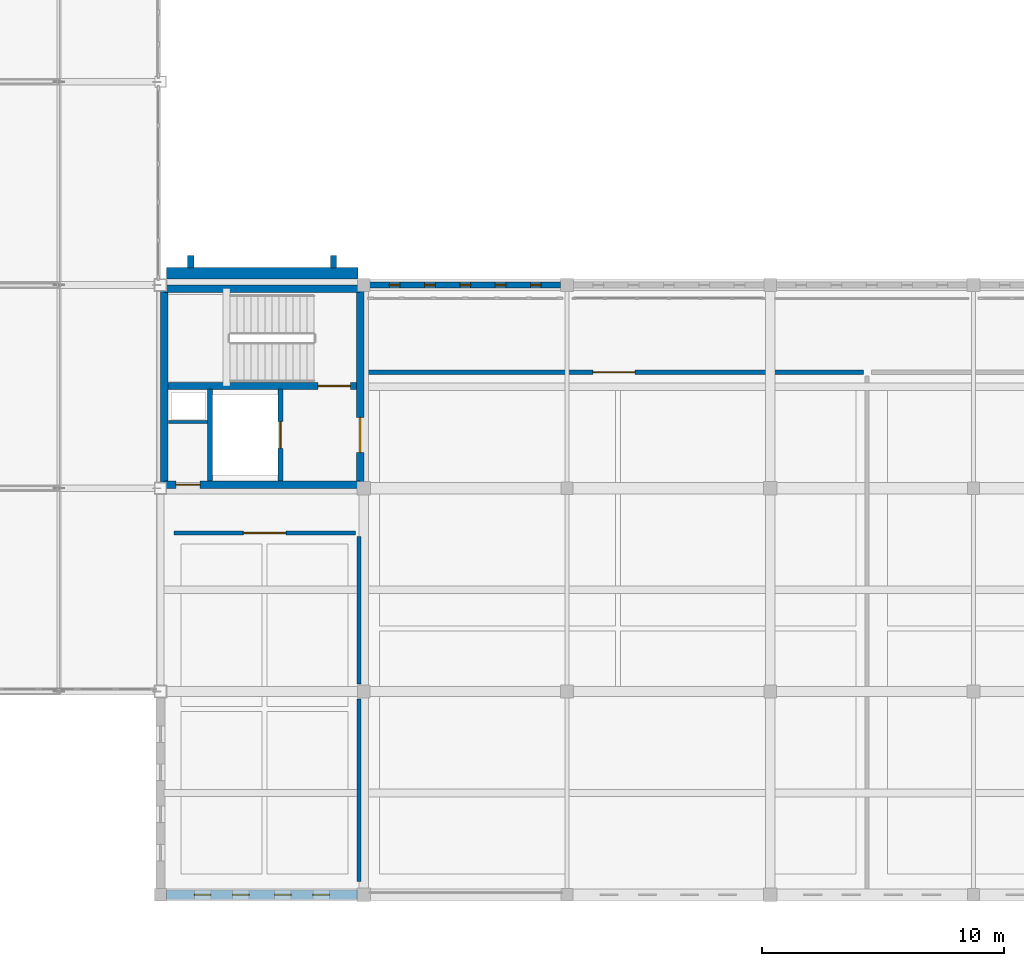
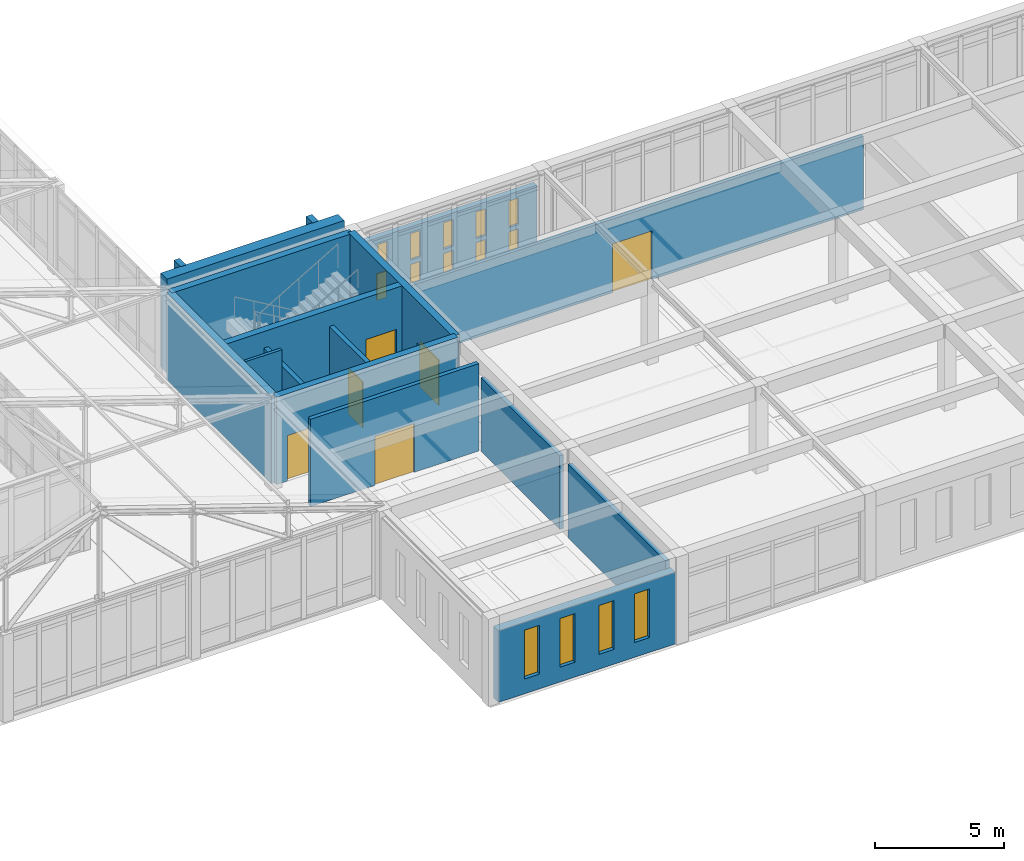
# One storey, part 160 of 192: 17 walls, 14 windows, 6 doors, 20 openings.
"""IFC4 building model written with IfcOpenShell, lengths in metres."""

import ifcopenshell
import ifcopenshell.guid

model = None  # the IFC model being written
_history = None  # IfcOwnerHistory: only IFC2X3 demands one
_inside = {}  # id of a spatial element -> (the spatial element, [elements in it])
_under = {}  # id of a project, library or spatial element -> (it, [spatial elements below it])
_declared = {}  # id of a project -> (the project, [libraries it declares])
_typed = {}  # id of a type object -> (the type object, [elements of that type])
_made_of = {}  # id of a material, layer set ... -> (it, [elements and type objects made of it])


def new_model(schema):
    """Start an empty IFC model of exactly this schema.

    Asked for "IFC4X3", IfcOpenShell would pick the latest addendum, in which some entities
    have other attributes; the version numbers below select the first issue.
    IFC2X3 requires an IfcOwnerHistory on every rooted entity: one is made here for all.
    """
    global model, _history
    if schema == "IFC4X3":
        model = ifcopenshell.file(schema_version=(4, 3, 0, 0))
    else:
        model = ifcopenshell.file(schema=schema)
    _inside.clear()
    _under.clear()
    _declared.clear()
    _typed.clear()
    _made_of.clear()
    _history = None
    if model.schema == "IFC2X3":
        org = make("IfcOrganization", Name="unknown")
        user = make(
            "IfcPersonAndOrganization",
            ThePerson=make("IfcPerson", FamilyName="unknown"),
            TheOrganization=org,
        )
        app = make(
            "IfcApplication",
            ApplicationDeveloper=org,
            Version="unknown",
            ApplicationFullName="unknown",
            ApplicationIdentifier="unknown",
        )
        _history = make(
            "IfcOwnerHistory",
            OwningUser=user,
            OwningApplication=app,
            ChangeAction="ADDED",
            CreationDate=0,
        )
    return model


def make(cls, **values):
    """One entity of the class cls with the attributes given. An attribute that is None is left unset."""
    return model.create_entity(
        cls, **{name: value for name, value in values.items() if value is not None}
    )


def rooted(cls, **values):
    """An entity with a GlobalId (a new one), such as an element, a storey or a relation."""
    return make(cls, GlobalId=ifcopenshell.guid.new(), OwnerHistory=_history, **values)


def si_unit(unit_type, name, prefix=None):
    """IfcSIUnit, for example si_unit("LENGTHUNIT", "METRE", prefix="MILLI")."""
    return make("IfcSIUnit", UnitType=unit_type, Prefix=prefix, Name=name)


def assignment(units):
    """IfcUnitAssignment: the units of a project."""
    return None if units is None else make("IfcUnitAssignment", Units=units)


def point(xyz):
    """IfcCartesianPoint."""
    return None if xyz is None else make("IfcCartesianPoint", Coordinates=xyz)


def direction(xyz):
    """IfcDirection."""
    return None if xyz is None else make("IfcDirection", DirectionRatios=xyz)


def frame(location, z_axis=None, x_axis=None):
    """IfcAxis2Placement3D, a coordinate frame: its origin and axes. An axis left out is left unset."""
    return make(
        "IfcAxis2Placement3D",
        Location=point(location),
        Axis=direction(z_axis),
        RefDirection=direction(x_axis),
    )


def frame_2d(location, x_axis=None):
    """IfcAxis2Placement2D, a coordinate frame in the plane: its origin and x axis."""
    return make(
        "IfcAxis2Placement2D", Location=point(location), RefDirection=direction(x_axis)
    )


def origin():
    """The frame at (0, 0, 0) with its axes left unset."""
    return frame((0.0, 0.0, 0.0))


def place(relative_to, where):
    """IfcLocalPlacement: puts the frame where relative to a parent placement (None: the world)."""
    return make(
        "IfcLocalPlacement", PlacementRelTo=relative_to, RelativePlacement=where
    )


def context(
    kind, dimensions, precision=None, world=None, true_north=None, identifier=None
):
    """IfcGeometricRepresentationContext, for example the 3D "Model" context."""
    return make(
        "IfcGeometricRepresentationContext",
        ContextIdentifier=identifier,
        ContextType=kind,
        CoordinateSpaceDimension=dimensions,
        Precision=precision,
        WorldCoordinateSystem=world,
        TrueNorth=true_north,
    )


def subcontext(parent, identifier, kind, view, scale=None):
    """IfcGeometricRepresentationSubContext, for example "Body" below "Model"."""
    return make(
        "IfcGeometricRepresentationSubContext",
        ContextIdentifier=identifier,
        ContextType=kind,
        ParentContext=parent,
        TargetScale=scale,
        TargetView=view,
    )


def project(units=None, contexts=None):
    """IfcProject with its units and contexts."""
    return rooted(
        "IfcProject",
        Name="project",
        RepresentationContexts=contexts,
        UnitsInContext=assignment(units),
    )


def spatial(cls, under=None, at=None, **own):
    """A site, building, storey or space (cls), placed at a placement, below another one or the project."""
    s = rooted(cls, ObjectPlacement=at, **own)
    if under is not None:
        _under.setdefault(under.id(), (under, []))[1].append(s)
    return s


def profile(cls, at=None, kind="AREA", **sizes):
    """A parametric profile (cls). Its sizes go by their IFC names, for example OverallWidth=200.0."""
    return make(cls, ProfileType=kind, Position=at, **sizes)


def rectangle(**sizes):
    """IfcRectangleProfileDef."""
    return profile("IfcRectangleProfileDef", **sizes)


def extrude(swept, where, along, depth):
    """IfcExtrudedAreaSolid: the profile swept, set in the frame where, extruded along a direction by depth."""
    return make(
        "IfcExtrudedAreaSolid",
        SweptArea=swept,
        Position=where,
        ExtrudedDirection=direction(along),
        Depth=depth,
    )


def shape(context_of_items, identifier, shape_type, items):
    """IfcShapeRepresentation: the items that make up one representation, for example the "Body"."""
    return make(
        "IfcShapeRepresentation",
        ContextOfItems=context_of_items,
        RepresentationIdentifier=identifier,
        RepresentationType=shape_type,
        Items=items,
    )


def material(Name=None, Category=None):
    """IfcMaterial."""
    return make("IfcMaterial", Name=Name, Category=Category)


def layer(
    of_material, thickness, ventilated=None, Name=None, Category=None, Priority=None
):
    """IfcMaterialLayer: one layer of a wall or slab, of a material (None: an air gap)."""
    return make(
        "IfcMaterialLayer",
        Material=of_material,
        LayerThickness=thickness,
        IsVentilated=ventilated,
        Name=Name,
        Category=Category,
        Priority=Priority,
    )


def layer_set(layers, Name=None):
    """IfcMaterialLayerSet."""
    return make("IfcMaterialLayerSet", MaterialLayers=layers, LayerSetName=Name)


def made_of(thing, what):
    """Note that an element or type object is made of a material, layer set ...; save() writes the relation."""
    if what is not None:
        _made_of.setdefault(what.id(), (what, []))[1].append(thing)
    return thing


def type_object(cls, material=None, **own):
    """A type object (cls), such as IfcWallType, which elements share."""
    return made_of(rooted(cls, **own), material)


def element(
    cls,
    number,
    at=None,
    inside=None,
    cuts=None,
    type_object=None,
    material=None,
    context=None,
    identifier="Body",
    shape_type=None,
    held_by="IfcProductDefinitionShape",
    body=None,
    shapes=None,
    **own,
):
    """One element of the class cls, such as IfcWall. Its Tag is "e" and its number.

    at: its placement. inside: the storey or other place that contains it. cuts: it is an
    opening in that element (IfcRelVoidsElement). A single representation is given by context,
    identifier, shape_type and body (its items); several are given by shapes. held_by: the class
    of the entity that holds the representations. save() writes the other relations.
    """
    e = rooted(cls, Tag="e%d" % number, ObjectPlacement=at, **own)
    if body is not None:
        shapes = [shape(context, identifier, shape_type, body)]
    if shapes is not None:
        e.Representation = make(held_by, Representations=shapes)
    if inside is not None:
        _inside.setdefault(inside.id(), (inside, []))[1].append(e)
    if cuts is not None:
        rooted(
            "IfcRelVoidsElement", RelatingBuildingElement=cuts, RelatedOpeningElement=e
        )
    if type_object is not None:
        _typed.setdefault(type_object.id(), (type_object, []))[1].append(e)
    return made_of(e, material)


def fill(opening, filler):
    """IfcRelFillsElement: the door or window that sits in an opening."""
    return rooted(
        "IfcRelFillsElement",
        RelatingOpeningElement=opening,
        RelatedBuildingElement=filler,
    )


def aggregate(whole, parts):
    """IfcRelAggregates: a whole, such as a stair, and the parts it consists of."""
    return rooted("IfcRelAggregates", RelatingObject=whole, RelatedObjects=parts)


def save(model, path):
    """Write the relations noted so far, then the file.

    IfcRelAggregates (storeys below a building ...), IfcRelContainedInSpatialStructure (elements
    in a storey), IfcRelDefinesByType, IfcRelAssociatesMaterial and IfcRelDeclares: one each for
    every whole, place, type object, material and project.
    """
    for whole, parts in _under.values():
        aggregate(whole, parts)
    for where, things in _inside.values():
        rooted(
            "IfcRelContainedInSpatialStructure",
            RelatedElements=things,
            RelatingStructure=where,
        )
    for kind, things in _typed.values():
        rooted("IfcRelDefinesByType", RelatedObjects=things, RelatingType=kind)
    for what, things in _made_of.values():
        rooted("IfcRelAssociatesMaterial", RelatedObjects=things, RelatingMaterial=what)
    for by, libraries in _declared.values():
        rooted("IfcRelDeclares", RelatingContext=by, RelatedDefinitions=libraries)
    model.write(path)


model = new_model("IFC4")

# Units and contexts
model_context = context("Model", 3, precision=1e-05, world=origin(), true_north=direction((0.0, 1.0)))
body_context = subcontext(model_context, "Body", "Model", "MODEL_VIEW")
ifc_project = project(units=[si_unit("LENGTHUNIT", "METRE"), si_unit("AREAUNIT", "SQUARE_METRE"), si_unit("VOLUMEUNIT", "CUBIC_METRE"), si_unit("PLANEANGLEUNIT", "RADIAN"), si_unit("MASSUNIT", "GRAM", prefix="KILO")], contexts=[model_context])

# Site, building, storey
site_placement = place(None, origin())
site = spatial("IfcSite", under=ifc_project, at=site_placement, CompositionType="ELEMENT")
building_placement = place(site_placement, origin())
building = spatial("IfcBuilding", under=site, at=building_placement, Name="Kveldsbrygga Polytechnic", CompositionType="ELEMENT")
storey_placement = place(building_placement, frame((0.0, 0.0, 5.43994140625)))
storey = spatial("IfcBuildingStorey", under=building, at=storey_placement, Name="L01", CompositionType="ELEMENT", Elevation=5.43994140625)

# Wall
ifc_material_1 = material(Name="Fired clay brick masonry M10", Category="masonry")
ifc_layer_1 = layer(ifc_material_1, 0.47998046875)
ifc_layer_set_1 = layer_set([ifc_layer_1], Name="Fired clay brick masonry M10")
wall_type_1 = type_object("IfcWallType", Name="EW-BAST-480", PredefinedType="SOLIDWALL", material=ifc_layer_set_1)
wall_1_placement = place(storey_placement, frame((75.840087890625, 25.679931640625, 0.0), z_axis=(0.0, 0.0, 1.0), x_axis=(1.0, 0.0, 0.0)))
element("IfcWall", 1, at=wall_1_placement, inside=storey, type_object=wall_type_1, Name="Corner Stair Bastion Wall BAST-L01-X-09-03", PredefinedType="SOLIDWALL", context=body_context, shape_type="SweptSolid", body=[
    extrude(rectangle(XDim=7.919921875, YDim=0.47998046875, at=frame_2d((3.9599609375, 0.0))), origin(), (0.0, 0.0, 1.0), 4.420166015625),
])

# Wall, openings, windows
ifc_layer_2 = layer(ifc_material_1, 0.3798828125)
ifc_layer_set_2 = layer_set([ifc_layer_2], Name="Fired clay brick masonry M10")
wall_type_2 = type_object("IfcWallType", Name="EW-BRICK-380", PredefinedType="SOLIDWALL", material=ifc_layer_set_2)
wall_2_placement = place(storey_placement, frame((75.8349609375, 0.0, 0.0), z_axis=(0.0, 0.0, 1.0), x_axis=(1.0, 0.0, 0.0)))
wall_2 = element("IfcWall", 2, at=wall_2_placement, inside=storey, type_object=wall_type_2, Name="Exterior Brick Wall EW-L01-X-09-00", PredefinedType="SOLIDWALL", context=body_context, shape_type="SweptSolid", body=[
    extrude(rectangle(XDim=7.905029296875, YDim=0.3798828125, at=frame_2d((3.95263671875, 0.0))), origin(), (0.0, 0.0, 1.0), 3.380126953125),
])
opening_1_placement = place(wall_2_placement, frame((1.161865234375, 0.0, 0.699951171875)))
opening_1 = element("IfcOpeningElement", 3, at=opening_1_placement, cuts=wall_2, Name="Opening W-42", PredefinedType="OPENING", context=body_context, shape_type="SweptSolid", body=[
    extrude(rectangle(XDim=0.679931640625, YDim=2.300048828125, at=frame_2d((0.33984375, 1.14990234375))), frame((0.0, 0.199951171875, 0.0), z_axis=(0.0, -1.0, 0.0), x_axis=(1.0, 0.0, 0.0)), (0.0, 0.0, 1.0), 0.39990234375),
])
opening_2_placement = place(wall_2_placement, frame((2.742919921875, 0.0, 0.699951171875)))
opening_2 = element("IfcOpeningElement", 4, at=opening_2_placement, cuts=wall_2, Name="Opening W-42", PredefinedType="OPENING", context=body_context, shape_type="SweptSolid", body=[
    extrude(rectangle(XDim=0.679931640625, YDim=2.300048828125, at=frame_2d((0.33984375, 1.14990234375))), frame((0.0, 0.199951171875, 0.0), z_axis=(0.0, -1.0, 0.0), x_axis=(1.0, 0.0, 0.0)), (0.0, 0.0, 1.0), 0.39990234375),
])
opening_3_placement = place(wall_2_placement, frame((4.48193359375, 0.0, 0.699951171875)))
opening_3 = element("IfcOpeningElement", 5, at=opening_3_placement, cuts=wall_2, Name="Opening W-42", PredefinedType="OPENING", context=body_context, shape_type="SweptSolid", body=[
    extrude(rectangle(XDim=0.679931640625, YDim=2.300048828125, at=frame_2d((0.33984375, 1.14990234375))), frame((0.0, 0.199951171875, 0.0), z_axis=(0.0, -1.0, 0.0), x_axis=(1.0, 0.0, 0.0)), (0.0, 0.0, 1.0), 0.39990234375),
])
opening_4_placement = place(wall_2_placement, frame((6.06298828125, 0.0, 0.699951171875)))
opening_4 = element("IfcOpeningElement", 6, at=opening_4_placement, cuts=wall_2, Name="Opening W-42", PredefinedType="OPENING", context=body_context, shape_type="SweptSolid", body=[
    extrude(rectangle(XDim=0.679931640625, YDim=2.300048828125, at=frame_2d((0.33984375, 1.14990234375))), frame((0.0, 0.199951171875, 0.0), z_axis=(0.0, -1.0, 0.0), x_axis=(1.0, 0.0, 0.0)), (0.0, 0.0, 1.0), 0.39990234375),
])
ifc_material_2 = material(Name="Insulated triple low-E glass", Category="glass")
window_type_1 = type_object("IfcWindowType", Name="WN-LANC-068x230", PartitioningType="DOUBLE_PANEL_VERTICAL", PredefinedType="WINDOW", material=ifc_material_2)
window_1_placement = place(opening_1_placement, origin())
window_1 = element("IfcWindow", 7, at=window_1_placement, inside=storey, type_object=window_type_1, Name="Gothic Lancet Window WIN-L01-X-09-00-1", OverallHeight=2.300048828125, OverallWidth=0.679931640625, PartitioningType="DOUBLE_PANEL_VERTICAL", PredefinedType="WINDOW", context=body_context, shape_type="SweptSolid", body=[
    extrude(rectangle(XDim=0.679931640625, YDim=2.300048828125, at=frame_2d((0.33984375, 1.14990234375))), frame((0.0, 0.030029296875, 0.0), z_axis=(0.0, -1.0, 0.0), x_axis=(1.0, 0.0, 0.0)), (0.0, 0.0, 1.0), 0.06005859375),
])
fill(opening_1, window_1)
window_2_placement = place(opening_2_placement, origin())
window_2 = element("IfcWindow", 8, at=window_2_placement, inside=storey, type_object=window_type_1, Name="Gothic Lancet Window WIN-L01-X-09-00-2", OverallHeight=2.300048828125, OverallWidth=0.679931640625, PartitioningType="DOUBLE_PANEL_VERTICAL", PredefinedType="WINDOW", context=body_context, shape_type="SweptSolid", body=[
    extrude(rectangle(XDim=0.679931640625, YDim=2.300048828125, at=frame_2d((0.33984375, 1.14990234375))), frame((0.0, 0.030029296875, 0.0), z_axis=(0.0, -1.0, 0.0), x_axis=(1.0, 0.0, 0.0)), (0.0, 0.0, 1.0), 0.06005859375),
])
fill(opening_2, window_2)
window_3_placement = place(opening_3_placement, origin())
window_3 = element("IfcWindow", 9, at=window_3_placement, inside=storey, type_object=window_type_1, Name="Gothic Lancet Window WIN-L01-X-09-00-3", OverallHeight=2.300048828125, OverallWidth=0.679931640625, PartitioningType="DOUBLE_PANEL_VERTICAL", PredefinedType="WINDOW", context=body_context, shape_type="SweptSolid", body=[
    extrude(rectangle(XDim=0.679931640625, YDim=2.300048828125, at=frame_2d((0.33984375, 1.14990234375))), frame((0.0, 0.030029296875, 0.0), z_axis=(0.0, -1.0, 0.0), x_axis=(1.0, 0.0, 0.0)), (0.0, 0.0, 1.0), 0.06005859375),
])
fill(opening_3, window_3)
window_4_placement = place(opening_4_placement, origin())
window_4 = element("IfcWindow", 10, at=window_4_placement, inside=storey, type_object=window_type_1, Name="Gothic Lancet Window WIN-L01-X-09-00-4", OverallHeight=2.300048828125, OverallWidth=0.679931640625, PartitioningType="DOUBLE_PANEL_VERTICAL", PredefinedType="WINDOW", context=body_context, shape_type="SweptSolid", body=[
    extrude(rectangle(XDim=0.679931640625, YDim=2.300048828125, at=frame_2d((0.33984375, 1.14990234375))), frame((0.0, 0.030029296875, 0.0), z_axis=(0.0, -1.0, 0.0), x_axis=(1.0, 0.0, 0.0)), (0.0, 0.0, 1.0), 0.06005859375),
])
fill(opening_4, window_4)

# Walls
ifc_layer_3 = layer(ifc_material_1, 0.260009765625)
ifc_layer_set_3 = layer_set([ifc_layer_3], Name="Fired clay brick masonry M10")
wall_type_3 = type_object("IfcWallType", Name="EW-BUTT-260", PredefinedType="SOLIDWALL", material=ifc_layer_set_3)
for number, where, z_axis, x_axis, name in (
    (11, (76.85009765625, 25.89990234375, 0.0), (0.0, 0.0, 1.0), (0.0, 1.0, 0.0), "Gothic Brick Buttress Pier BCLAS-L01-X-09-03-1"),
    (12, (82.75, 25.89990234375, 0.0), (0.0, 0.0, 1.0), (0.0, 1.0, 0.0), "Gothic Brick Buttress Pier BCLAS-L01-X-09-03-2"),
):
    element("IfcWall", number, at=place(storey_placement, frame(where, z_axis=z_axis, x_axis=x_axis)), inside=storey, type_object=wall_type_3, Name=name, PredefinedType="SOLIDWALL", context=body_context, shape_type="SweptSolid", body=[
        extrude(rectangle(XDim=0.52001953125, YDim=0.260009765625, at=frame_2d((0.260009765625, 0.0))), origin(), (0.0, 0.0, 1.0), 4.420166015625),
    ])

# Wall, openings, windows
ifc_layer_4 = layer(ifc_material_1, 0.239990234375)
ifc_layer_set_4 = layer_set([ifc_layer_4], Name="Fired clay brick masonry M10")
wall_type_4 = type_object("IfcWallType", Name="EW-SCRN-240", PredefinedType="SOLIDWALL", material=ifc_layer_set_4)
wall_3_placement = place(storey_placement, frame((84.2451171875, 25.199951171875, 0.0), z_axis=(0.0, 0.0, 1.0), x_axis=(1.0, 0.0, 0.0)))
wall_3 = element("IfcWall", 13, at=wall_3_placement, inside=storey, type_object=wall_type_4, Name="Perforated Brick Corridor Screen Wall SCRW-L01-X-10-03", PredefinedType="SOLIDWALL", context=body_context, shape_type="SweptSolid", body=[
    extrude(rectangle(XDim=7.894775390625, YDim=0.239990234375, at=frame_2d((3.947265625, 0.0))), origin(), (0.0, 0.0, 1.0), 3.3701171875),
])
opening_5_placement = place(wall_3_placement, frame((0.8095703125, 0.0, 0.35009765625)))
opening_5 = element("IfcOpeningElement", 14, at=opening_5_placement, cuts=wall_3, Name="Opening W-48", PredefinedType="OPENING", context=body_context, shape_type="SweptSolid", body=[
    extrude(rectangle(XDim=0.43994140625, YDim=1.25, at=frame_2d((0.219970703125, 0.625))), frame((0.0, 0.1298828125, 0.0), z_axis=(0.0, -1.0, 0.0), x_axis=(1.0, 0.0, 0.0)), (0.0, 0.0, 1.0), 0.260009765625),
])
opening_6_placement = place(wall_3_placement, frame((2.2685546875, 0.0, 0.35009765625)))
opening_6 = element("IfcOpeningElement", 15, at=opening_6_placement, cuts=wall_3, Name="Opening W-48", PredefinedType="OPENING", context=body_context, shape_type="SweptSolid", body=[
    extrude(rectangle(XDim=0.43994140625, YDim=1.25, at=frame_2d((0.219970703125, 0.625))), frame((0.0, 0.1298828125, 0.0), z_axis=(0.0, -1.0, 0.0), x_axis=(1.0, 0.0, 0.0)), (0.0, 0.0, 1.0), 0.260009765625),
])
opening_7_placement = place(wall_3_placement, frame((3.7275390625, 0.0, 0.35009765625)))
opening_7 = element("IfcOpeningElement", 16, at=opening_7_placement, cuts=wall_3, Name="Opening W-48", PredefinedType="OPENING", context=body_context, shape_type="SweptSolid", body=[
    extrude(rectangle(XDim=0.43994140625, YDim=1.25, at=frame_2d((0.219970703125, 0.625))), frame((0.0, 0.1298828125, 0.0), z_axis=(0.0, -1.0, 0.0), x_axis=(1.0, 0.0, 0.0)), (0.0, 0.0, 1.0), 0.260009765625),
])
opening_8_placement = place(wall_3_placement, frame((5.1865234375, 0.0, 0.35009765625)))
opening_8 = element("IfcOpeningElement", 17, at=opening_8_placement, cuts=wall_3, Name="Opening W-48", PredefinedType="OPENING", context=body_context, shape_type="SweptSolid", body=[
    extrude(rectangle(XDim=0.43994140625, YDim=1.25, at=frame_2d((0.219970703125, 0.625))), frame((0.0, 0.1298828125, 0.0), z_axis=(0.0, -1.0, 0.0), x_axis=(1.0, 0.0, 0.0)), (0.0, 0.0, 1.0), 0.260009765625),
])
opening_9_placement = place(wall_3_placement, frame((6.6455078125, 0.0, 0.35009765625)))
opening_9 = element("IfcOpeningElement", 18, at=opening_9_placement, cuts=wall_3, Name="Opening W-48", PredefinedType="OPENING", context=body_context, shape_type="SweptSolid", body=[
    extrude(rectangle(XDim=0.43994140625, YDim=1.25, at=frame_2d((0.219970703125, 0.625))), frame((0.0, 0.1298828125, 0.0), z_axis=(0.0, -1.0, 0.0), x_axis=(1.0, 0.0, 0.0)), (0.0, 0.0, 1.0), 0.260009765625),
])
opening_10_placement = place(wall_3_placement, frame((0.8095703125, 0.0, 1.800048828125)))
opening_10 = element("IfcOpeningElement", 19, at=opening_10_placement, cuts=wall_3, Name="Opening W-48", PredefinedType="OPENING", context=body_context, shape_type="SweptSolid", body=[
    extrude(rectangle(XDim=0.43994140625, YDim=1.25, at=frame_2d((0.219970703125, 0.625))), frame((0.0, 0.1298828125, 0.0), z_axis=(0.0, -1.0, 0.0), x_axis=(1.0, 0.0, 0.0)), (0.0, 0.0, 1.0), 0.260009765625),
])
opening_11_placement = place(wall_3_placement, frame((2.2685546875, 0.0, 1.800048828125)))
opening_11 = element("IfcOpeningElement", 20, at=opening_11_placement, cuts=wall_3, Name="Opening W-48", PredefinedType="OPENING", context=body_context, shape_type="SweptSolid", body=[
    extrude(rectangle(XDim=0.43994140625, YDim=1.25, at=frame_2d((0.219970703125, 0.625))), frame((0.0, 0.1298828125, 0.0), z_axis=(0.0, -1.0, 0.0), x_axis=(1.0, 0.0, 0.0)), (0.0, 0.0, 1.0), 0.260009765625),
])
opening_12_placement = place(wall_3_placement, frame((3.7275390625, 0.0, 1.800048828125)))
opening_12 = element("IfcOpeningElement", 21, at=opening_12_placement, cuts=wall_3, Name="Opening W-48", PredefinedType="OPENING", context=body_context, shape_type="SweptSolid", body=[
    extrude(rectangle(XDim=0.43994140625, YDim=1.25, at=frame_2d((0.219970703125, 0.625))), frame((0.0, 0.1298828125, 0.0), z_axis=(0.0, -1.0, 0.0), x_axis=(1.0, 0.0, 0.0)), (0.0, 0.0, 1.0), 0.260009765625),
])
opening_13_placement = place(wall_3_placement, frame((5.1865234375, 0.0, 1.800048828125)))
opening_13 = element("IfcOpeningElement", 22, at=opening_13_placement, cuts=wall_3, Name="Opening W-48", PredefinedType="OPENING", context=body_context, shape_type="SweptSolid", body=[
    extrude(rectangle(XDim=0.43994140625, YDim=1.25, at=frame_2d((0.219970703125, 0.625))), frame((0.0, 0.1298828125, 0.0), z_axis=(0.0, -1.0, 0.0), x_axis=(1.0, 0.0, 0.0)), (0.0, 0.0, 1.0), 0.260009765625),
])
opening_14_placement = place(wall_3_placement, frame((6.6455078125, 0.0, 1.800048828125)))
opening_14 = element("IfcOpeningElement", 23, at=opening_14_placement, cuts=wall_3, Name="Opening W-48", PredefinedType="OPENING", context=body_context, shape_type="SweptSolid", body=[
    extrude(rectangle(XDim=0.43994140625, YDim=1.25, at=frame_2d((0.219970703125, 0.625))), frame((0.0, 0.1298828125, 0.0), z_axis=(0.0, -1.0, 0.0), x_axis=(1.0, 0.0, 0.0)), (0.0, 0.0, 1.0), 0.260009765625),
])
window_type_2 = type_object("IfcWindowType", Name="WN-SCRN-044x125", PartitioningType="SINGLE_PANEL", PredefinedType="WINDOW", material=ifc_material_2)
window_5_placement = place(opening_5_placement, origin())
window_5 = element("IfcWindow", 24, at=window_5_placement, inside=storey, type_object=window_type_2, Name="Perforated Screen Aperture L01-X-10-03-1", OverallHeight=1.25, OverallWidth=0.43994140625, PartitioningType="SINGLE_PANEL", PredefinedType="WINDOW", context=body_context, shape_type="SweptSolid", body=[
    extrude(rectangle(XDim=0.43994140625, YDim=1.25, at=frame_2d((0.219970703125, 0.625))), frame((0.0, 0.030029296875, 0.0), z_axis=(0.0, -1.0, 0.0), x_axis=(1.0, 0.0, 0.0)), (0.0, 0.0, 1.0), 0.06005859375),
])
fill(opening_5, window_5)
window_6_placement = place(opening_6_placement, origin())
window_6 = element("IfcWindow", 25, at=window_6_placement, inside=storey, type_object=window_type_2, Name="Perforated Screen Aperture L01-X-10-03-2", OverallHeight=1.25, OverallWidth=0.43994140625, PartitioningType="SINGLE_PANEL", PredefinedType="WINDOW", context=body_context, shape_type="SweptSolid", body=[
    extrude(rectangle(XDim=0.43994140625, YDim=1.25, at=frame_2d((0.219970703125, 0.625))), frame((0.0, 0.030029296875, 0.0), z_axis=(0.0, -1.0, 0.0), x_axis=(1.0, 0.0, 0.0)), (0.0, 0.0, 1.0), 0.06005859375),
])
fill(opening_6, window_6)
window_7_placement = place(opening_7_placement, origin())
window_7 = element("IfcWindow", 26, at=window_7_placement, inside=storey, type_object=window_type_2, Name="Perforated Screen Aperture L01-X-10-03-3", OverallHeight=1.25, OverallWidth=0.43994140625, PartitioningType="SINGLE_PANEL", PredefinedType="WINDOW", context=body_context, shape_type="SweptSolid", body=[
    extrude(rectangle(XDim=0.43994140625, YDim=1.25, at=frame_2d((0.219970703125, 0.625))), frame((0.0, 0.030029296875, 0.0), z_axis=(0.0, -1.0, 0.0), x_axis=(1.0, 0.0, 0.0)), (0.0, 0.0, 1.0), 0.06005859375),
])
fill(opening_7, window_7)
window_8_placement = place(opening_8_placement, origin())
window_8 = element("IfcWindow", 27, at=window_8_placement, inside=storey, type_object=window_type_2, Name="Perforated Screen Aperture L01-X-10-03-4", OverallHeight=1.25, OverallWidth=0.43994140625, PartitioningType="SINGLE_PANEL", PredefinedType="WINDOW", context=body_context, shape_type="SweptSolid", body=[
    extrude(rectangle(XDim=0.43994140625, YDim=1.25, at=frame_2d((0.219970703125, 0.625))), frame((0.0, 0.030029296875, 0.0), z_axis=(0.0, -1.0, 0.0), x_axis=(1.0, 0.0, 0.0)), (0.0, 0.0, 1.0), 0.06005859375),
])
fill(opening_8, window_8)
window_9_placement = place(opening_9_placement, origin())
window_9 = element("IfcWindow", 28, at=window_9_placement, inside=storey, type_object=window_type_2, Name="Perforated Screen Aperture L01-X-10-03-5", OverallHeight=1.25, OverallWidth=0.43994140625, PartitioningType="SINGLE_PANEL", PredefinedType="WINDOW", context=body_context, shape_type="SweptSolid", body=[
    extrude(rectangle(XDim=0.43994140625, YDim=1.25, at=frame_2d((0.219970703125, 0.625))), frame((0.0, 0.030029296875, 0.0), z_axis=(0.0, -1.0, 0.0), x_axis=(1.0, 0.0, 0.0)), (0.0, 0.0, 1.0), 0.06005859375),
])
fill(opening_9, window_9)
window_10_placement = place(opening_10_placement, origin())
window_10 = element("IfcWindow", 29, at=window_10_placement, inside=storey, type_object=window_type_2, Name="Perforated Screen Aperture L01-X-10-03-6", OverallHeight=1.25, OverallWidth=0.43994140625, PartitioningType="SINGLE_PANEL", PredefinedType="WINDOW", context=body_context, shape_type="SweptSolid", body=[
    extrude(rectangle(XDim=0.43994140625, YDim=1.25, at=frame_2d((0.219970703125, 0.625))), frame((0.0, 0.030029296875, 0.0), z_axis=(0.0, -1.0, 0.0), x_axis=(1.0, 0.0, 0.0)), (0.0, 0.0, 1.0), 0.06005859375),
])
fill(opening_10, window_10)
window_11_placement = place(opening_11_placement, origin())
window_11 = element("IfcWindow", 30, at=window_11_placement, inside=storey, type_object=window_type_2, Name="Perforated Screen Aperture L01-X-10-03-7", OverallHeight=1.25, OverallWidth=0.43994140625, PartitioningType="SINGLE_PANEL", PredefinedType="WINDOW", context=body_context, shape_type="SweptSolid", body=[
    extrude(rectangle(XDim=0.43994140625, YDim=1.25, at=frame_2d((0.219970703125, 0.625))), frame((0.0, 0.030029296875, 0.0), z_axis=(0.0, -1.0, 0.0), x_axis=(1.0, 0.0, 0.0)), (0.0, 0.0, 1.0), 0.06005859375),
])
fill(opening_11, window_11)
window_12_placement = place(opening_12_placement, origin())
window_12 = element("IfcWindow", 31, at=window_12_placement, inside=storey, type_object=window_type_2, Name="Perforated Screen Aperture L01-X-10-03-8", OverallHeight=1.25, OverallWidth=0.43994140625, PartitioningType="SINGLE_PANEL", PredefinedType="WINDOW", context=body_context, shape_type="SweptSolid", body=[
    extrude(rectangle(XDim=0.43994140625, YDim=1.25, at=frame_2d((0.219970703125, 0.625))), frame((0.0, 0.030029296875, 0.0), z_axis=(0.0, -1.0, 0.0), x_axis=(1.0, 0.0, 0.0)), (0.0, 0.0, 1.0), 0.06005859375),
])
fill(opening_12, window_12)
window_13_placement = place(opening_13_placement, origin())
window_13 = element("IfcWindow", 32, at=window_13_placement, inside=storey, type_object=window_type_2, Name="Perforated Screen Aperture L01-X-10-03-9", OverallHeight=1.25, OverallWidth=0.43994140625, PartitioningType="SINGLE_PANEL", PredefinedType="WINDOW", context=body_context, shape_type="SweptSolid", body=[
    extrude(rectangle(XDim=0.43994140625, YDim=1.25, at=frame_2d((0.219970703125, 0.625))), frame((0.0, 0.030029296875, 0.0), z_axis=(0.0, -1.0, 0.0), x_axis=(1.0, 0.0, 0.0)), (0.0, 0.0, 1.0), 0.06005859375),
])
fill(opening_13, window_13)
window_14_placement = place(opening_14_placement, origin())
window_14 = element("IfcWindow", 33, at=window_14_placement, inside=storey, type_object=window_type_2, Name="Perforated Screen Aperture L01-X-10-03-10", OverallHeight=1.25, OverallWidth=0.43994140625, PartitioningType="SINGLE_PANEL", PredefinedType="WINDOW", context=body_context, shape_type="SweptSolid", body=[
    extrude(rectangle(XDim=0.43994140625, YDim=1.25, at=frame_2d((0.219970703125, 0.625))), frame((0.0, 0.030029296875, 0.0), z_axis=(0.0, -1.0, 0.0), x_axis=(1.0, 0.0, 0.0)), (0.0, 0.0, 1.0), 0.06005859375),
])
fill(opening_14, window_14)

# Wall, opening, door
ifc_material_3 = material(Name="Gypsum acoustic stud partition")
ifc_layer_5 = layer(ifc_material_3, 0.179931640625)
ifc_layer_set_5 = layer_set([ifc_layer_5], Name="Gypsum acoustic stud partition")
wall_type_5 = type_object("IfcWallType", Name="IW-CORR-180", PredefinedType="PARTITIONING", material=ifc_layer_set_5)
wall_4_placement = place(storey_placement, frame((76.14990234375, 14.949951171875, 0.0), z_axis=(0.0, 0.0, 1.0), x_axis=(1.0, 0.0, 0.0)))
wall_4 = element("IfcWall", 34, at=wall_4_placement, inside=storey, type_object=wall_type_5, Name="Partition Wall IW-SP-L01-UNION1W-N1", PredefinedType="PARTITIONING", context=body_context, shape_type="SweptSolid", body=[
    extrude(rectangle(XDim=7.5, YDim=0.179931640625, at=frame_2d((3.75, 0.0))), origin(), (0.0, 0.0, 1.0), 4.1201171875),
])
opening_15_placement = place(wall_4_placement, frame((2.875, 0.0, 0.0)))
opening_15 = element("IfcOpeningElement", 35, at=opening_15_placement, cuts=wall_4, Name="Opening ID-L01-050", PredefinedType="OPENING", context=body_context, shape_type="SweptSolid", body=[
    extrude(rectangle(XDim=1.75, YDim=2.300048828125, at=frame_2d((0.875, 1.14990234375))), frame((0.0, 0.10009765625, 0.0), z_axis=(0.0, -1.0, 0.0), x_axis=(1.0, 0.0, 0.0)), (0.0, 0.0, 1.0), 0.199951171875),
])
ifc_material_4 = material(Name="Acoustic oak timber", Category="wood")
door_type_1 = type_object("IfcDoorType", Name="ID-REF-175x230", OperationType="DOUBLE_DOOR_SINGLE_SWING", PredefinedType="DOOR", material=ifc_material_4)
door_1_placement = place(opening_15_placement, origin())
door_1 = element("IfcDoor", 36, at=door_1_placement, inside=storey, type_object=door_type_1, Name="Interior Door ID-L01-050", OperationType="DOUBLE_DOOR_SINGLE_SWING", OverallHeight=2.300048828125, OverallWidth=1.75, PredefinedType="DOOR", context=body_context, shape_type="SweptSolid", body=[
    extrude(rectangle(XDim=1.75, YDim=2.300048828125, at=frame_2d((0.875, 1.14990234375))), frame((0.0, 0.02490234375, 0.0), z_axis=(0.0, -1.0, 0.0), x_axis=(1.0, 0.0, 0.0)), (0.0, 0.0, 1.0), 0.050048828125),
])
fill(opening_15, door_1)

# Walls
wall_5_placement = place(storey_placement, frame((83.800048828125, 0.550048828125, 0.0), z_axis=(0.0, 0.0, 1.0), x_axis=(0.0, 1.0, 0.0)))
element("IfcWall", 37, at=wall_5_placement, inside=storey, type_object=wall_type_5, Name="Partition Wall IW-SP-L01-UNION1W-E1", PredefinedType="PARTITIONING", context=body_context, shape_type="SweptSolid", body=[
    extrude(rectangle(XDim=7.530029296875, YDim=0.179931640625, at=frame_2d((3.76513671875, 0.0))), origin(), (0.0, 0.0, 1.0), 3.469970703125),
])
wall_6_placement = place(storey_placement, frame((83.800048828125, 8.719970703125, 0.0), z_axis=(0.0, 0.0, 1.0), x_axis=(0.0, 1.0, 0.0)))
element("IfcWall", 38, at=wall_6_placement, inside=storey, type_object=wall_type_5, Name="Partition Wall IW-SP-L01-UNION1W-E2", PredefinedType="PARTITIONING", context=body_context, shape_type="SweptSolid", body=[
    extrude(rectangle(XDim=6.080078125, YDim=0.179931640625, at=frame_2d((3.0400390625, 0.0))), origin(), (0.0, 0.0, 1.0), 3.469970703125),
])

# Wall, opening, door
wall_7_placement = place(storey_placement, frame((84.030029296875, 21.60009765625, 0.0), z_axis=(0.0, 0.0, 1.0), x_axis=(1.0, 0.0, 0.0)))
wall_7 = element("IfcWall", 39, at=wall_7_placement, inside=storey, type_object=wall_type_5, Name="Partition Wall IW-SP-L01-UNION1-N1", PredefinedType="PARTITIONING", context=body_context, shape_type="SweptSolid", body=[
    extrude(rectangle(XDim=20.619873046875, YDim=0.179931640625, at=frame_2d((10.31005859375, 0.0))), origin(), (0.0, 0.0, 1.0), 3.469970703125),
])
opening_16_placement = place(wall_7_placement, frame((9.43505859375, 0.0, 0.0)))
opening_16 = element("IfcOpeningElement", 40, at=opening_16_placement, cuts=wall_7, Name="Opening ID-L01-051", PredefinedType="OPENING", context=body_context, shape_type="SweptSolid", body=[
    extrude(rectangle(XDim=1.75, YDim=2.300048828125, at=frame_2d((0.875, 1.14990234375))), frame((0.0, 0.10009765625, 0.0), z_axis=(0.0, -1.0, 0.0), x_axis=(1.0, 0.0, 0.0)), (0.0, 0.0, 1.0), 0.199951171875),
])
door_2_placement = place(opening_16_placement, origin())
door_2 = element("IfcDoor", 41, at=door_2_placement, inside=storey, type_object=door_type_1, Name="Interior Door ID-L01-051", OperationType="DOUBLE_DOOR_SINGLE_SWING", OverallHeight=2.300048828125, OverallWidth=1.75, PredefinedType="DOOR", context=body_context, shape_type="SweptSolid", body=[
    extrude(rectangle(XDim=1.75, YDim=2.300048828125, at=frame_2d((0.875, 1.14990234375))), frame((0.0, 0.02490234375, 0.0), z_axis=(0.0, -1.0, 0.0), x_axis=(1.0, 0.0, 0.0)), (0.0, 0.0, 1.0), 0.050048828125),
])
fill(opening_16, door_2)

# Wall
ifc_material_5 = material(Name="Moisture-resistant masonry M10", Category="masonry")
ifc_layer_6 = layer(ifc_material_5, 0.1298828125)
ifc_layer_set_6 = layer_set([ifc_layer_6], Name="Moisture-resistant masonry M10")
wall_type_6 = type_object("IfcWallType", Name="IW-SAN-130", PredefinedType="PARTITIONING", material=ifc_layer_set_6)
wall_8_placement = place(storey_placement, frame((75.919921875, 19.5400390625, 0.0), z_axis=(0.0, 0.0, 1.0), x_axis=(1.0, 0.0, 0.0)))
element("IfcWall", 42, at=wall_8_placement, inside=storey, type_object=wall_type_6, Name="Core AWC Divider C6-L01-W-RSR", PredefinedType="PARTITIONING", context=body_context, shape_type="SweptSolid", body=[
    extrude(rectangle(XDim=1.6201171875, YDim=0.1298828125, at=frame_2d((0.81005859375, 0.0))), origin(), (0.0, 0.0, 1.0), 4.1201171875),
])

# Wall, opening, door
ifc_material_6 = material(Name="Concrete C45/55", Category="concrete")
ifc_layer_7 = layer(ifc_material_6, 0.300048828125)
ifc_layer_set_7 = layer_set([ifc_layer_7], Name="Concrete C45/55")
wall_type_7 = type_object("IfcWallType", Name="WL-CORE-300", PredefinedType="SHEAR", material=ifc_layer_set_7)
wall_9_placement = place(storey_placement, frame((75.75, 16.949951171875, 0.0), z_axis=(0.0, 0.0, 1.0), x_axis=(1.0, 0.0, 0.0)))
wall_9 = element("IfcWall", 43, at=wall_9_placement, inside=storey, type_object=wall_type_7, Name="Core C6 Shear Wall C6-L01-SW-S", PredefinedType="SHEAR", context=body_context, shape_type="SweptSolid", body=[
    extrude(rectangle(XDim=8.10009765625, YDim=0.300048828125, at=frame_2d((4.050048828125, 0.0))), origin(), (0.0, 0.0, 1.0), 4.1201171875),
])
opening_17_placement = place(wall_9_placement, frame((0.485107421875, 0.0, 0.0)))
opening_17 = element("IfcOpeningElement", 44, at=opening_17_placement, cuts=wall_9, Name="Opening ID-C6-L01-AWC", PredefinedType="OPENING", context=body_context, shape_type="SweptSolid", body=[
    extrude(rectangle(XDim=1.0, YDim=2.14990234375, at=frame_2d((0.5, 1.074951171875))), frame((0.0, 0.16015625, 0.0), z_axis=(0.0, -1.0, 0.0), x_axis=(1.0, 0.0, 0.0)), (0.0, 0.0, 1.0), 0.320068359375),
])
door_type_2 = type_object("IfcDoorType", Name="ID-AWC-100x215", OperationType="NOTDEFINED", PredefinedType="DOOR", material=ifc_material_4)
door_3_placement = place(opening_17_placement, origin())
door_3 = element("IfcDoor", 45, at=door_3_placement, inside=storey, type_object=door_type_2, Name="Accessible WC Door ID-C6-L01-AWC", OperationType="SINGLE_SWING_LEFT", OverallHeight=2.14990234375, OverallWidth=1.0, PredefinedType="DOOR", context=body_context, shape_type="SweptSolid", body=[
    extrude(rectangle(XDim=1.0, YDim=2.14990234375, at=frame_2d((0.5, 1.074951171875))), frame((0.0, 0.02490234375, 0.0), z_axis=(0.0, -1.0, 0.0), x_axis=(1.0, 0.0, 0.0)), (0.0, 0.0, 1.0), 0.050048828125),
])
fill(opening_17, door_3)

# Walls
for number, where, z_axis, x_axis, name in (
    (46, (75.75, 25.050048828125, 0.0), (0.0, 0.0, 1.0), (1.0, 0.0, 0.0), "Core C6 Shear Wall C6-L01-SW-N"),
    (47, (75.75, 16.949951171875, 0.0), (0.0, 0.0, 1.0), (0.0, 1.0, 0.0), "Core C6 Shear Wall C6-L01-SW-W"),
):
    element("IfcWall", number, at=place(storey_placement, frame(where, z_axis=z_axis, x_axis=x_axis)), inside=storey, type_object=wall_type_7, Name=name, PredefinedType="SHEAR", context=body_context, shape_type="SweptSolid", body=[
        extrude(rectangle(XDim=8.10009765625, YDim=0.300048828125, at=frame_2d((4.050048828125, 0.0))), origin(), (0.0, 0.0, 1.0), 4.1201171875),
    ])

# Wall, opening, door
wall_10_placement = place(storey_placement, frame((83.85009765625, 16.949951171875, 0.0), z_axis=(0.0, 0.0, 1.0), x_axis=(0.0, 1.0, 0.0)))
wall_10 = element("IfcWall", 48, at=wall_10_placement, inside=storey, type_object=wall_type_7, Name="Core C6 Shear Wall C6-L01-SW-E", PredefinedType="SHEAR", context=body_context, shape_type="SweptSolid", body=[
    extrude(rectangle(XDim=8.10009765625, YDim=0.300048828125, at=frame_2d((4.050048828125, 0.0))), origin(), (0.0, 0.0, 1.0), 4.1201171875),
])
opening_18_placement = place(wall_10_placement, frame((1.324951171875, 0.0, 0.0)))
opening_18 = element("IfcOpeningElement", 49, at=opening_18_placement, cuts=wall_10, Name="Opening FD-C6-L01-LOB", PredefinedType="OPENING", context=body_context, shape_type="SweptSolid", body=[
    extrude(rectangle(XDim=1.449951171875, YDim=2.14990234375, at=frame_2d((0.72509765625, 1.074951171875))), frame((0.0, 0.16015625, 0.0), z_axis=(0.0, -1.0, 0.0), x_axis=(1.0, 0.0, 0.0)), (0.0, 0.0, 1.0), 0.320068359375),
])
ifc_material_7 = material(Name="Powder-coated galvanised steel", Category="steel")
door_type_3 = type_object("IfcDoorType", Name="ID-LOBBY-145x215", OperationType="DOUBLE_DOOR_SINGLE_SWING", PredefinedType="DOOR", material=ifc_material_7)
door_4_placement = place(opening_18_placement, origin())
door_4 = element("IfcDoor", 50, at=door_4_placement, inside=storey, type_object=door_type_3, Name="Core Lobby Fire Door FD-C6-L01-LOB", OperationType="DOUBLE_DOOR_SINGLE_SWING", OverallHeight=2.14990234375, OverallWidth=1.449951171875, PredefinedType="DOOR", context=body_context, shape_type="SweptSolid", body=[
    extrude(rectangle(XDim=1.449951171875, YDim=2.14990234375, at=frame_2d((0.72509765625, 1.074951171875))), frame((0.0, 0.02490234375, 0.0), z_axis=(0.0, -1.0, 0.0), x_axis=(1.0, 0.0, 0.0)), (0.0, 0.0, 1.0), 0.050048828125),
])
fill(opening_18, door_4)

wall_11_placement = place(storey_placement, frame((75.89990234375, 21.030029296875, 0.0), z_axis=(0.0, 0.0, 1.0), x_axis=(1.0, 0.0, 0.0)))
wall_11 = element("IfcWall", 51, at=wall_11_placement, inside=storey, type_object=wall_type_7, Name="Core C6 Shear Wall C6-L01-W-DIV", PredefinedType="SHEAR", context=body_context, shape_type="SweptSolid", body=[
    extrude(rectangle(XDim=7.800048828125, YDim=0.300048828125, at=frame_2d((3.89990234375, 0.0))), origin(), (0.0, 0.0, 1.0), 4.1201171875),
])
opening_19_placement = place(wall_11_placement, frame((6.199951171875, 0.0, 0.0)))
opening_19 = element("IfcOpeningElement", 52, at=opening_19_placement, cuts=wall_11, Name="Opening FD-C6-L01-ST", PredefinedType="OPENING", context=body_context, shape_type="SweptSolid", body=[
    extrude(rectangle(XDim=1.35009765625, YDim=2.14990234375, at=frame_2d((0.675048828125, 1.074951171875))), frame((0.0, 0.16015625, 0.0), z_axis=(0.0, -1.0, 0.0), x_axis=(1.0, 0.0, 0.0)), (0.0, 0.0, 1.0), 0.320068359375),
])
door_type_4 = type_object("IfcDoorType", Name="ID-STAIR-135x215", OperationType="NOTDEFINED", PredefinedType="DOOR", material=ifc_material_7)
door_5_placement = place(opening_19_placement, origin())
door_5 = element("IfcDoor", 53, at=door_5_placement, inside=storey, type_object=door_type_4, Name="Stair Fire Door FD-C6-L01-ST", OperationType="SINGLE_SWING_RIGHT", OverallHeight=2.14990234375, OverallWidth=1.35009765625, PredefinedType="DOOR", context=body_context, shape_type="SweptSolid", body=[
    extrude(rectangle(XDim=1.35009765625, YDim=2.14990234375, at=frame_2d((0.675048828125, 1.074951171875))), frame((0.0, 0.02490234375, 0.0), z_axis=(0.0, -1.0, 0.0), x_axis=(1.0, 0.0, 0.0)), (0.0, 0.0, 1.0), 0.050048828125),
])
fill(opening_19, door_5)

ifc_material_8 = material(Name="Concrete C35/45", Category="concrete")
ifc_layer_8 = layer(ifc_material_8, 0.199951171875)
ifc_layer_set_8 = layer_set([ifc_layer_8], Name="Concrete C35/45")
wall_type_8 = type_object("IfcWallType", Name="WL-SHFT-200", PredefinedType="SHEAR", material=ifc_layer_set_8)
wall_12_placement = place(storey_placement, frame((80.56005859375, 17.10009765625, 0.0), z_axis=(0.0, 0.0, 1.0), x_axis=(0.0, 1.0, 0.0)))
wall_12 = element("IfcWall", 54, at=wall_12_placement, inside=storey, type_object=wall_type_8, Name="Lift Front Wall C6-L01-W-LFR", PredefinedType="SHEAR", context=body_context, shape_type="SweptSolid", body=[
    extrude(rectangle(XDim=3.7998046875, YDim=0.199951171875, at=frame_2d((1.89990234375, 0.0))), origin(), (0.0, 0.0, 1.0), 3.340087890625),
])
opening_20_placement = place(wall_12_placement, frame((1.35009765625, 0.0, 0.0)))
opening_20 = element("IfcOpeningElement", 55, at=opening_20_placement, cuts=wall_12, Name="Opening LD-LP-6", PredefinedType="OPENING", context=body_context, shape_type="SweptSolid", body=[
    extrude(rectangle(XDim=1.10009765625, YDim=2.14990234375, at=frame_2d((0.550048828125, 1.074951171875))), frame((0.0, 0.10986328125, 0.0), z_axis=(0.0, -1.0, 0.0), x_axis=(1.0, 0.0, 0.0)), (0.0, 0.0, 1.0), 0.219970703125),
])
ifc_material_9 = material(Name="Brushed stainless steel EN 1.4401", Category="steel")
door_type_5 = type_object("IfcDoorType", Name="LD-PAX-110x215", OperationType="SLIDING_TO_LEFT", PredefinedType="DOOR", material=ifc_material_9)
door_6_placement = place(opening_20_placement, origin())
door_6 = element("IfcDoor", 56, at=door_6_placement, inside=storey, type_object=door_type_5, Name="Lift Landing Sliding Door LD-LP-6-L01", OperationType="SLIDING_TO_LEFT", OverallHeight=2.14990234375, OverallWidth=1.10009765625, PredefinedType="DOOR", context=body_context, shape_type="SweptSolid", body=[
    extrude(rectangle(XDim=1.10009765625, YDim=2.14990234375, at=frame_2d((0.550048828125, 1.074951171875))), frame((0.0, 0.02490234375, 0.0), z_axis=(0.0, -1.0, 0.0), x_axis=(1.0, 0.0, 0.0)), (0.0, 0.0, 1.0), 0.050048828125),
])
fill(opening_20, door_6)

# Wall
wall_13_placement = place(storey_placement, frame((77.639892578125, 17.10009765625, 0.0), z_axis=(0.0, 0.0, 1.0), x_axis=(0.0, 1.0, 0.0)))
element("IfcWall", 57, at=wall_13_placement, inside=storey, type_object=wall_type_8, Name="Lift Back Wall C6-L01-W-LBK", PredefinedType="SHEAR", context=body_context, shape_type="SweptSolid", body=[
    extrude(rectangle(XDim=3.7998046875, YDim=0.199951171875, at=frame_2d((1.89990234375, 0.0))), origin(), (0.0, 0.0, 1.0), 3.340087890625),
])

save(model, "model.ifc")
